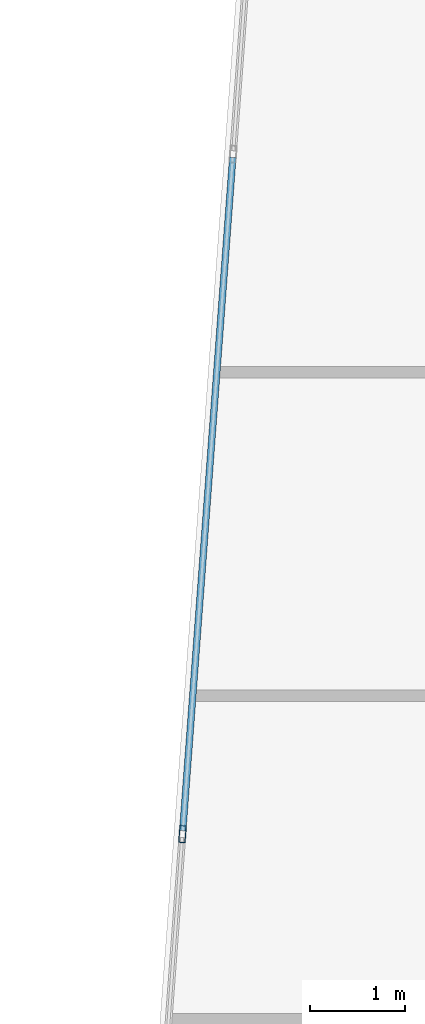
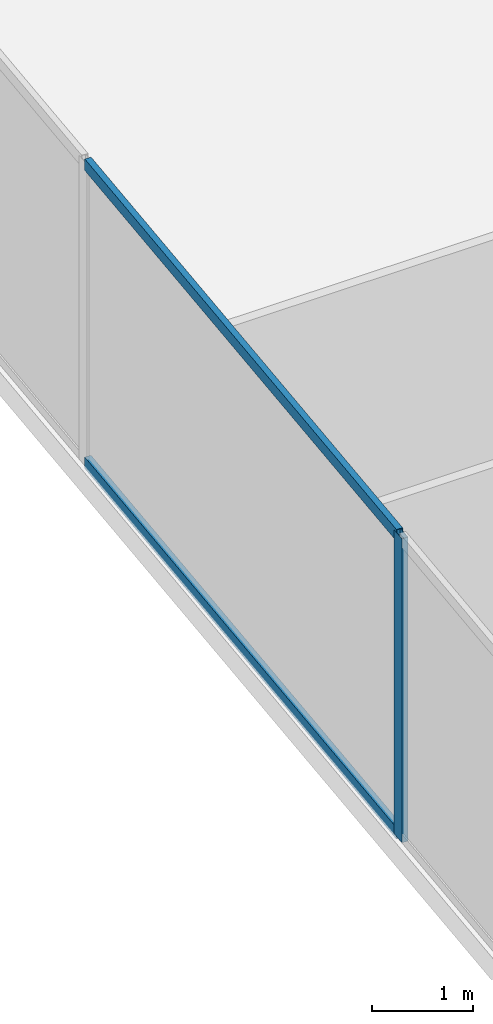
# One storey, part 10 of 30: 3 members, 1 element without a shape of its own.
"""IFC4 building model written with IfcOpenShell, lengths in metres."""

import ifcopenshell
import ifcopenshell.guid

model = None  # the IFC model being written
_history = None  # IfcOwnerHistory: only IFC2X3 demands one
_inside = {}  # id of a spatial element -> (the spatial element, [elements in it])
_under = {}  # id of a project, library or spatial element -> (it, [spatial elements below it])
_declared = {}  # id of a project -> (the project, [libraries it declares])
_typed = {}  # id of a type object -> (the type object, [elements of that type])
_made_of = {}  # id of a material, layer set ... -> (it, [elements and type objects made of it])


def new_model(schema):
    """Start an empty IFC model of exactly this schema.

    Asked for "IFC4X3", IfcOpenShell would pick the latest addendum, in which some entities
    have other attributes; the version numbers below select the first issue.
    IFC2X3 requires an IfcOwnerHistory on every rooted entity: one is made here for all.
    """
    global model, _history
    if schema == "IFC4X3":
        model = ifcopenshell.file(schema_version=(4, 3, 0, 0))
    else:
        model = ifcopenshell.file(schema=schema)
    _inside.clear()
    _under.clear()
    _declared.clear()
    _typed.clear()
    _made_of.clear()
    _history = None
    if model.schema == "IFC2X3":
        org = make("IfcOrganization", Name="unknown")
        user = make(
            "IfcPersonAndOrganization",
            ThePerson=make("IfcPerson", FamilyName="unknown"),
            TheOrganization=org,
        )
        app = make(
            "IfcApplication",
            ApplicationDeveloper=org,
            Version="unknown",
            ApplicationFullName="unknown",
            ApplicationIdentifier="unknown",
        )
        _history = make(
            "IfcOwnerHistory",
            OwningUser=user,
            OwningApplication=app,
            ChangeAction="ADDED",
            CreationDate=0,
        )
    return model


def make(cls, **values):
    """One entity of the class cls with the attributes given. An attribute that is None is left unset."""
    return model.create_entity(
        cls, **{name: value for name, value in values.items() if value is not None}
    )


def rooted(cls, **values):
    """An entity with a GlobalId (a new one), such as an element, a storey or a relation."""
    return make(cls, GlobalId=ifcopenshell.guid.new(), OwnerHistory=_history, **values)


def si_unit(unit_type, name, prefix=None):
    """IfcSIUnit, for example si_unit("LENGTHUNIT", "METRE", prefix="MILLI")."""
    return make("IfcSIUnit", UnitType=unit_type, Prefix=prefix, Name=name)


def assignment(units):
    """IfcUnitAssignment: the units of a project."""
    return None if units is None else make("IfcUnitAssignment", Units=units)


def point(xyz):
    """IfcCartesianPoint."""
    return None if xyz is None else make("IfcCartesianPoint", Coordinates=xyz)


def direction(xyz):
    """IfcDirection."""
    return None if xyz is None else make("IfcDirection", DirectionRatios=xyz)


def frame(location, z_axis=None, x_axis=None):
    """IfcAxis2Placement3D, a coordinate frame: its origin and axes. An axis left out is left unset."""
    return make(
        "IfcAxis2Placement3D",
        Location=point(location),
        Axis=direction(z_axis),
        RefDirection=direction(x_axis),
    )


def frame_2d(location, x_axis=None):
    """IfcAxis2Placement2D, a coordinate frame in the plane: its origin and x axis."""
    return make(
        "IfcAxis2Placement2D", Location=point(location), RefDirection=direction(x_axis)
    )


def origin():
    """The frame at (0, 0, 0) with its axes left unset."""
    return frame((0.0, 0.0, 0.0))


def origin_2d():
    """The frame at (0, 0) in the plane with its x axis left unset."""
    return frame_2d((0.0, 0.0))


def place(relative_to, where):
    """IfcLocalPlacement: puts the frame where relative to a parent placement (None: the world)."""
    return make(
        "IfcLocalPlacement", PlacementRelTo=relative_to, RelativePlacement=where
    )


def context(
    kind, dimensions, precision=None, world=None, true_north=None, identifier=None
):
    """IfcGeometricRepresentationContext, for example the 3D "Model" context."""
    return make(
        "IfcGeometricRepresentationContext",
        ContextIdentifier=identifier,
        ContextType=kind,
        CoordinateSpaceDimension=dimensions,
        Precision=precision,
        WorldCoordinateSystem=world,
        TrueNorth=true_north,
    )


def subcontext(parent, identifier, kind, view, scale=None):
    """IfcGeometricRepresentationSubContext, for example "Body" below "Model"."""
    return make(
        "IfcGeometricRepresentationSubContext",
        ContextIdentifier=identifier,
        ContextType=kind,
        ParentContext=parent,
        TargetScale=scale,
        TargetView=view,
    )


def project(units=None, contexts=None):
    """IfcProject with its units and contexts."""
    return rooted(
        "IfcProject",
        Name="project",
        RepresentationContexts=contexts,
        UnitsInContext=assignment(units),
    )


def spatial(cls, under=None, at=None, **own):
    """A site, building, storey or space (cls), placed at a placement, below another one or the project."""
    s = rooted(cls, ObjectPlacement=at, **own)
    if under is not None:
        _under.setdefault(under.id(), (under, []))[1].append(s)
    return s


def profile(cls, at=None, kind="AREA", **sizes):
    """A parametric profile (cls). Its sizes go by their IFC names, for example OverallWidth=200.0."""
    return make(cls, ProfileType=kind, Position=at, **sizes)


def hollow_rectangle(**sizes):
    """IfcRectangleHollowProfileDef."""
    return profile("IfcRectangleHollowProfileDef", **sizes)


def extrude(swept, where, along, depth):
    """IfcExtrudedAreaSolid: the profile swept, set in the frame where, extruded along a direction by depth."""
    return make(
        "IfcExtrudedAreaSolid",
        SweptArea=swept,
        Position=where,
        ExtrudedDirection=direction(along),
        Depth=depth,
    )


def shape(context_of_items, identifier, shape_type, items):
    """IfcShapeRepresentation: the items that make up one representation, for example the "Body"."""
    return make(
        "IfcShapeRepresentation",
        ContextOfItems=context_of_items,
        RepresentationIdentifier=identifier,
        RepresentationType=shape_type,
        Items=items,
    )


def source(mapping_origin, context_of_items, identifier, shape_type, items):
    """IfcRepresentationMap: a shape defined once, which mapped items show again and again."""
    return make(
        "IfcRepresentationMap",
        MappingOrigin=mapping_origin,
        MappedRepresentation=shape(context_of_items, identifier, shape_type, items),
    )


def transform(
    local_origin,
    x_axis=None,
    y_axis=None,
    z_axis=None,
    scale=None,
    scale2=None,
    scale3=None,
    uniform=True,
):
    """IfcCartesianTransformationOperator3D, or its non-uniform kind. x_axis, y_axis, z_axis: its Axis1, 2, 3."""
    if uniform:
        return make(
            "IfcCartesianTransformationOperator3D",
            Axis1=direction(x_axis),
            Axis2=direction(y_axis),
            LocalOrigin=point(local_origin),
            Scale=scale,
            Axis3=direction(z_axis),
        )
    return make(
        "IfcCartesianTransformationOperator3DnonUniform",
        Axis1=direction(x_axis),
        Axis2=direction(y_axis),
        LocalOrigin=point(local_origin),
        Scale=scale,
        Axis3=direction(z_axis),
        Scale2=scale2,
        Scale3=scale3,
    )


def mapped(mapping_source, mapping_target):
    """IfcMappedItem: shows the shape of a source again, moved by a transform."""
    return make(
        "IfcMappedItem", MappingSource=mapping_source, MappingTarget=mapping_target
    )


def material(Name=None, Category=None):
    """IfcMaterial."""
    return make("IfcMaterial", Name=Name, Category=Category)


def material_profile(
    of_material, cross_section, Name=None, Category=None, Priority=None
):
    """IfcMaterialProfile: a cross section and its material."""
    return make(
        "IfcMaterialProfile",
        Name=Name,
        Material=of_material,
        Profile=cross_section,
        Priority=Priority,
        Category=Category,
    )


def profile_set(profiles, Name=None, composite=None):
    """IfcMaterialProfileSet."""
    return make(
        "IfcMaterialProfileSet",
        Name=Name,
        MaterialProfiles=profiles,
        CompositeProfile=composite,
    )


def made_of(thing, what):
    """Note that an element or type object is made of a material, layer set ...; save() writes the relation."""
    if what is not None:
        _made_of.setdefault(what.id(), (what, []))[1].append(thing)
    return thing


def type_object(cls, material=None, **own):
    """A type object (cls), such as IfcWallType, which elements share."""
    return made_of(rooted(cls, **own), material)


def type_shapes(of_type, sources):
    """Give a type object the sources (RepresentationMaps) that its elements show as mapped items."""
    of_type.RepresentationMaps = sources


def element(
    cls,
    number,
    at=None,
    inside=None,
    cuts=None,
    type_object=None,
    material=None,
    context=None,
    identifier="Body",
    shape_type=None,
    held_by="IfcProductDefinitionShape",
    body=None,
    shapes=None,
    **own,
):
    """One element of the class cls, such as IfcWall. Its Tag is "e" and its number.

    at: its placement. inside: the storey or other place that contains it. cuts: it is an
    opening in that element (IfcRelVoidsElement). A single representation is given by context,
    identifier, shape_type and body (its items); several are given by shapes. held_by: the class
    of the entity that holds the representations. save() writes the other relations.
    """
    e = rooted(cls, Tag="e%d" % number, ObjectPlacement=at, **own)
    if body is not None:
        shapes = [shape(context, identifier, shape_type, body)]
    if shapes is not None:
        e.Representation = make(held_by, Representations=shapes)
    if inside is not None:
        _inside.setdefault(inside.id(), (inside, []))[1].append(e)
    if cuts is not None:
        rooted(
            "IfcRelVoidsElement", RelatingBuildingElement=cuts, RelatedOpeningElement=e
        )
    if type_object is not None:
        _typed.setdefault(type_object.id(), (type_object, []))[1].append(e)
    return made_of(e, material)


def aggregate(whole, parts):
    """IfcRelAggregates: a whole, such as a stair, and the parts it consists of."""
    return rooted("IfcRelAggregates", RelatingObject=whole, RelatedObjects=parts)


def save(model, path):
    """Write the relations noted so far, then the file.

    IfcRelAggregates (storeys below a building ...), IfcRelContainedInSpatialStructure (elements
    in a storey), IfcRelDefinesByType, IfcRelAssociatesMaterial and IfcRelDeclares: one each for
    every whole, place, type object, material and project.
    """
    for whole, parts in _under.values():
        aggregate(whole, parts)
    for where, things in _inside.values():
        rooted(
            "IfcRelContainedInSpatialStructure",
            RelatedElements=things,
            RelatingStructure=where,
        )
    for kind, things in _typed.values():
        rooted("IfcRelDefinesByType", RelatedObjects=things, RelatingType=kind)
    for what, things in _made_of.values():
        rooted("IfcRelAssociatesMaterial", RelatedObjects=things, RelatingMaterial=what)
    for by, libraries in _declared.values():
        rooted("IfcRelDeclares", RelatingContext=by, RelatedDefinitions=libraries)
    model.write(path)


model = new_model("IFC4")

# Units and contexts
model_context = context("Model", 3, precision=1e-05, world=origin(), true_north=direction((0.0, 1.0)))
body_context = subcontext(model_context, "Body", "Model", "MODEL_VIEW")
ifc_project = project(units=[si_unit("LENGTHUNIT", "METRE"), si_unit("AREAUNIT", "SQUARE_METRE"), si_unit("VOLUMEUNIT", "CUBIC_METRE"), si_unit("PLANEANGLEUNIT", "RADIAN"), si_unit("MASSUNIT", "GRAM", prefix="KILO")], contexts=[model_context])

# Site, building, storey
site_placement = place(None, origin())
site = spatial("IfcSite", under=ifc_project, at=site_placement, CompositionType="ELEMENT")
building_placement = place(site_placement, origin())
building = spatial("IfcBuilding", under=site, at=building_placement, Name="Krantzveldt Concourse Tower", CompositionType="ELEMENT")
storey_placement = place(building_placement, frame((0.0, 0.0, 52.64990234375)))
storey = spatial("IfcBuildingStorey", under=building, at=storey_placement, Name="L12", CompositionType="ELEMENT", Elevation=52.64990234375)

# Curtain wall, members
ifc_material = material(Name="Anodised aluminium 6063-T6", Category="aluminium")
curtain_wall_type = type_object("IfcCurtainWallType", Name="CW2", PredefinedType="USERDEFINED", material=ifc_material)
curtain_wall_placement = place(storey_placement, origin())
curtain_wall = element("IfcCurtainWall", 1, at=curtain_wall_placement, inside=storey, type_object=curtain_wall_type, Name="CW-L12-F01", ObjectType="UNITISED CURTAIN WALL", PredefinedType="USERDEFINED")
ifc_material_profile_1 = material_profile(ifc_material, hollow_rectangle(XDim=0.070068359375, YDim=0.139892578125, WallThickness=0.0048828125, at=origin_2d()), Name="Anodised aluminium 6063-T6", Category="aluminium")
ifc_profile_set_1 = profile_set([ifc_material_profile_1], Name="Anodised aluminium 6063-T6 - ALU-TRAN 140x70x5")
member_type_1 = type_object("IfcMemberType", Name="CW-TRN-150", PredefinedType="USERDEFINED", material=ifc_profile_set_1)
shared_shape_1 = source(origin(), body_context, "Body", "SweptSolid", [
    extrude(hollow_rectangle(XDim=0.070068359375, YDim=0.139892578125, WallThickness=0.0048828125, at=origin_2d()), origin(), (0.0, 0.0, 1.0), 7.0966796875),
])
type_shapes(member_type_1, [shared_shape_1])
member_1_placement = place(storey_placement, frame((11.68701171875, 35.658203125, 0.03515625), z_axis=(-0.074102314311, -0.997250644028, 0.0), x_axis=(0.997250644028, -0.074102314311, 0.0)))
member_1 = element("IfcMember", 2, at=member_1_placement, type_object=member_type_1, Name="CW-Z12 transom 3.1", ObjectType="TRANSOM", PredefinedType="USERDEFINED", context=body_context, shape_type="MappedRepresentation", body=[
    mapped(shared_shape_1, transform((0.0, 0.0, 0.0), x_axis=(1.0, 0.0, 0.0), y_axis=(0.0, 1.0, 0.0), z_axis=(0.0, 0.0, 1.0), scale=1.0)),
])
member_2_placement = place(storey_placement, frame((11.68701171875, 35.658203125, 3.635009765625), z_axis=(-0.074102314311, -0.997250644028, 0.0), x_axis=(0.997250644028, -0.074102314311, 0.0)))
member_2 = element("IfcMember", 3, at=member_2_placement, type_object=member_type_1, Name="CW-Z12 transom 3.2", ObjectType="TRANSOM", PredefinedType="USERDEFINED", context=body_context, shape_type="MappedRepresentation", body=[
    mapped(shared_shape_1, transform((0.0, 0.0, 0.0), x_axis=(1.0, 0.0, 0.0), y_axis=(0.0, 1.0, 0.0), z_axis=(0.0, 0.0, 1.0), scale=1.0)),
])
ifc_material_profile_2 = material_profile(ifc_material, hollow_rectangle(XDim=0.070068359375, YDim=0.179931640625, WallThickness=0.0048828125, at=origin_2d()), Name="Anodised aluminium 6063-T6", Category="aluminium")
ifc_profile_set_2 = profile_set([ifc_material_profile_2], Name="Anodised aluminium 6063-T6 - ALU-MULL 180x70x5")
member_type_2 = type_object("IfcMemberType", Name="CW-MUL-180", PredefinedType="MULLION", material=ifc_profile_set_2)
shared_shape_2 = source(origin(), body_context, "Body", "SweptSolid", [
    extrude(hollow_rectangle(XDim=0.070068359375, YDim=0.179931640625, WallThickness=0.0048828125, at=origin_2d()), origin(), (0.0, 0.0, 1.0), 3.670166015625),
])
type_shapes(member_type_2, [shared_shape_2])
member_3_placement = place(storey_placement, frame((11.158447265625, 28.546142578125, 0.0), z_axis=(0.0, 0.0, 1.0), x_axis=(0.997250176902, -0.07410860051, 0.0)))
member_3 = element("IfcMember", 4, at=member_3_placement, type_object=member_type_2, Name="CW-Z12 mullion 4", PredefinedType="MULLION", context=body_context, shape_type="MappedRepresentation", body=[
    mapped(shared_shape_2, transform((0.0, 0.0, 0.0), x_axis=(1.0, 0.0, 0.0), y_axis=(0.0, 1.0, 0.0), z_axis=(0.0, 0.0, 1.0), scale=1.0)),
])
aggregate(curtain_wall, [member_3, member_1, member_2])

save(model, "model.ifc")
